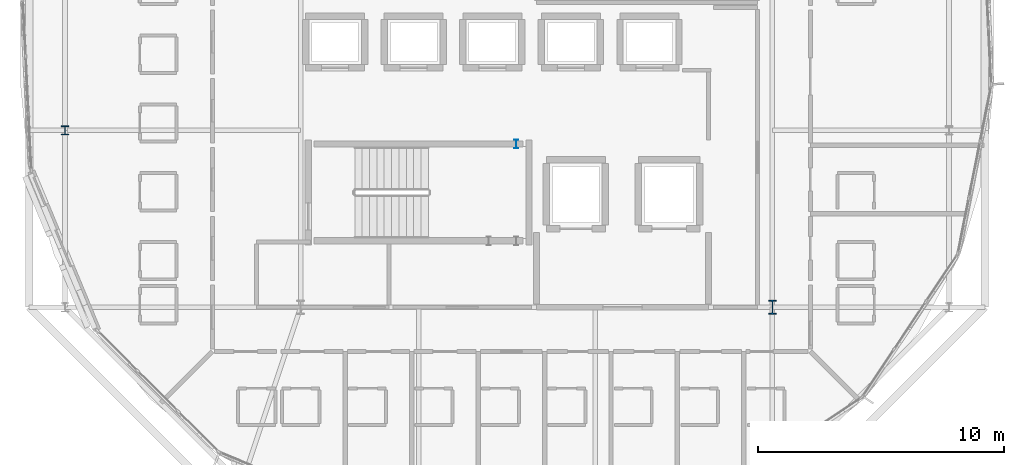
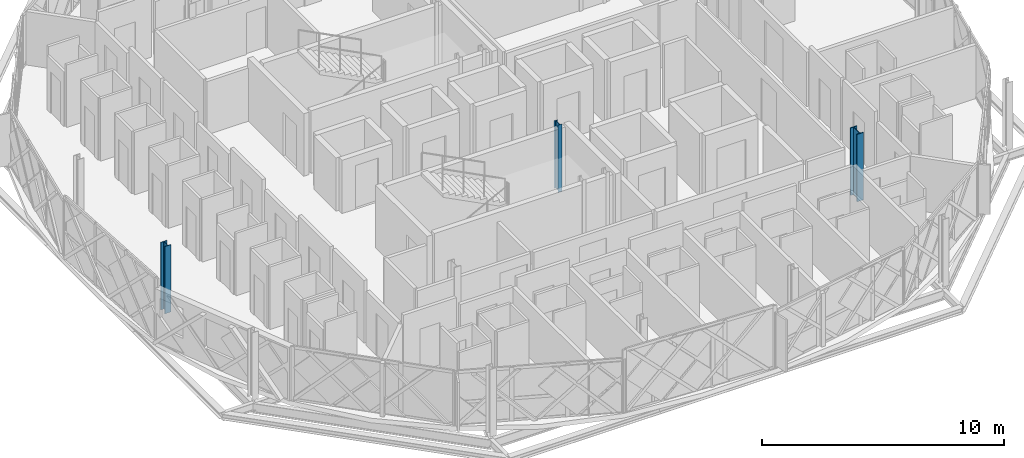
# One storey, part 2 of 24: 3 columns.
"""IFC4 building model written with IfcOpenShell, lengths in metres."""

from ifc_helpers import new_model, si_unit, direction, frame, origin, origin_2d, place, context, subcontext, project, spatial, i_section, extrude, material, material_profile, profile_set, type_object, element, save


model = new_model("IFC4")

# Units and contexts
model_context = context("Model", 3, precision=1e-05, world=origin(), true_north=direction((0.0, 1.0)))
body_context = subcontext(model_context, "Body", "Model", "MODEL_VIEW")
ifc_project = project(units=[si_unit("LENGTHUNIT", "METRE"), si_unit("AREAUNIT", "SQUARE_METRE"), si_unit("VOLUMEUNIT", "CUBIC_METRE"), si_unit("PLANEANGLEUNIT", "RADIAN"), si_unit("MASSUNIT", "GRAM", prefix="KILO")], contexts=[model_context])

# Site, building, storey
site_placement = place(None, origin())
site = spatial("IfcSite", under=ifc_project, at=site_placement, CompositionType="ELEMENT")
building_placement = place(site_placement, origin())
building = spatial("IfcBuilding", under=site, at=building_placement, Name="Zevrakil Square Congress Hotel", CompositionType="ELEMENT")
storey_placement = place(building_placement, frame((0.0, 0.0, 38.5)))
storey = spatial("IfcBuildingStorey", under=building, at=storey_placement, Name="L11", CompositionType="ELEMENT", Elevation=38.5)

# Columns
ifc_material_1 = material(Name="Steel S355", Category="steel")
ifc_material_profile_1 = material_profile(ifc_material_1, i_section(OverallWidth=0.300048828125, OverallDepth=0.360107421875, WebThickness=0.012451171875, FlangeThickness=0.0224609375, FilletRadius=0.027099609375, at=origin_2d()), Name="HEB 360")
ifc_profile_set_1 = profile_set([ifc_material_profile_1], Name="Steel S355")
column_type_1 = type_object("IfcColumnType", Name="COL-HEB360", PredefinedType="COLUMN", material=ifc_profile_set_1)
column_1_placement = place(storey_placement, frame((127.199951171875, 24.0, 0.0), z_axis=(0.0, 0.0, 1.0), x_axis=(1.0, 0.0, 0.0)))
element("IfcColumn", 1, at=column_1_placement, inside=storey, type_object=column_type_1, Name="L11 drum column DC15", PredefinedType="COLUMN", context=body_context, shape_type="SweptSolid", body=[
    extrude(i_section(OverallWidth=0.300048828125, OverallDepth=0.360107421875, WebThickness=0.012451171875, FlangeThickness=0.0224609375, FilletRadius=0.027099609375, at=origin_2d()), origin(), (0.0, 0.0, 1.0), 3.39990234375),
])
ifc_material_2 = material(Name="Steel S355", Category="steel")
ifc_material_profile_2 = material_profile(ifc_material_2, i_section(OverallWidth=0.305908203125, OverallDepth=0.572021484375, WebThickness=0.02099609375, FlangeThickness=0.0400390625, FilletRadius=0.027099609375, at=origin_2d()), Name="HEM 550")
ifc_profile_set_2 = profile_set([ifc_material_profile_2], Name="Steel S355")
column_type_2 = type_object("IfcColumnType", Name="COL-HEM550", PredefinedType="COLUMN", material=ifc_profile_set_2)
column_2_placement = place(storey_placement, frame((156.0, 16.800048828125, 0.0), z_axis=(0.0, 0.0, 1.0), x_axis=(1.0, 0.0, 0.0)))
element("IfcColumn", 2, at=column_2_placement, inside=storey, type_object=column_type_2, Name="L11 column C-222", PredefinedType="COLUMN", context=body_context, shape_type="SweptSolid", body=[
    extrude(i_section(OverallWidth=0.305908203125, OverallDepth=0.572021484375, WebThickness=0.02099609375, FlangeThickness=0.0400390625, FilletRadius=0.027099609375, at=origin_2d()), origin(), (0.0, 0.0, 1.0), 3.39990234375),
])
ifc_material_3 = material(Name="Steel S355", Category="steel")
ifc_material_profile_3 = material_profile(ifc_material_3, i_section(OverallWidth=0.169921875, OverallDepth=0.360107421875, WebThickness=0.008056640625, FlangeThickness=0.0126953125, FilletRadius=0.01806640625, at=origin_2d()), Name="IPE 360")
ifc_profile_set_3 = profile_set([ifc_material_profile_3], Name="Steel S355")
column_type_3 = type_object("IfcColumnType", Name="COL-PILASTER-SHS180", PredefinedType="PILASTER", material=ifc_profile_set_3)
column_3_placement = place(storey_placement, frame((145.580078125, 23.449951171875, 0.0), z_axis=(0.0, 0.0, 1.0), x_axis=(1.0, 0.0, 0.0)))
element("IfcColumn", 3, at=column_3_placement, inside=storey, type_object=column_type_3, Name="L11 ST01 stair shaft post 3", PredefinedType="PILASTER", context=body_context, shape_type="SweptSolid", body=[
    extrude(i_section(OverallWidth=0.169921875, OverallDepth=0.360107421875, WebThickness=0.008056640625, FlangeThickness=0.0126953125, FilletRadius=0.01806640625, at=origin_2d()), origin(), (0.0, 0.0, 1.0), 3.39990234375),
])

save(model, "model.ifc")
